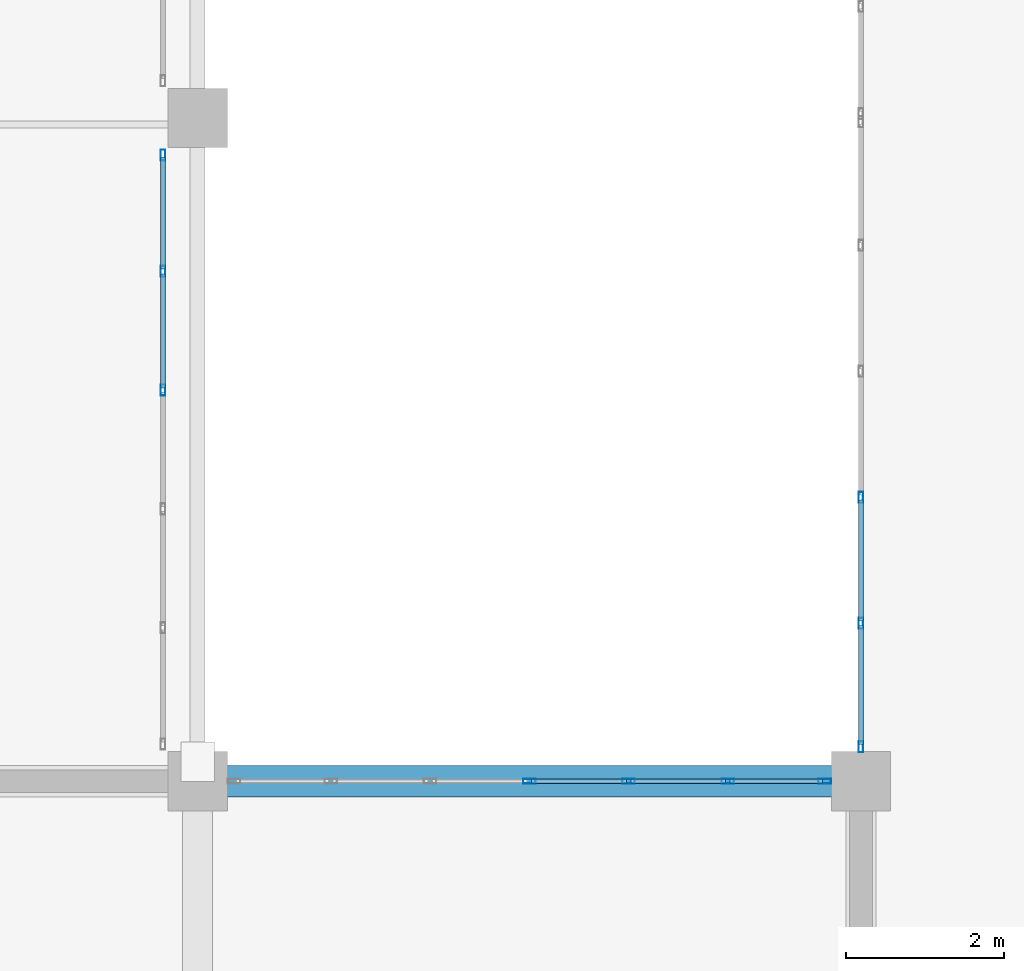
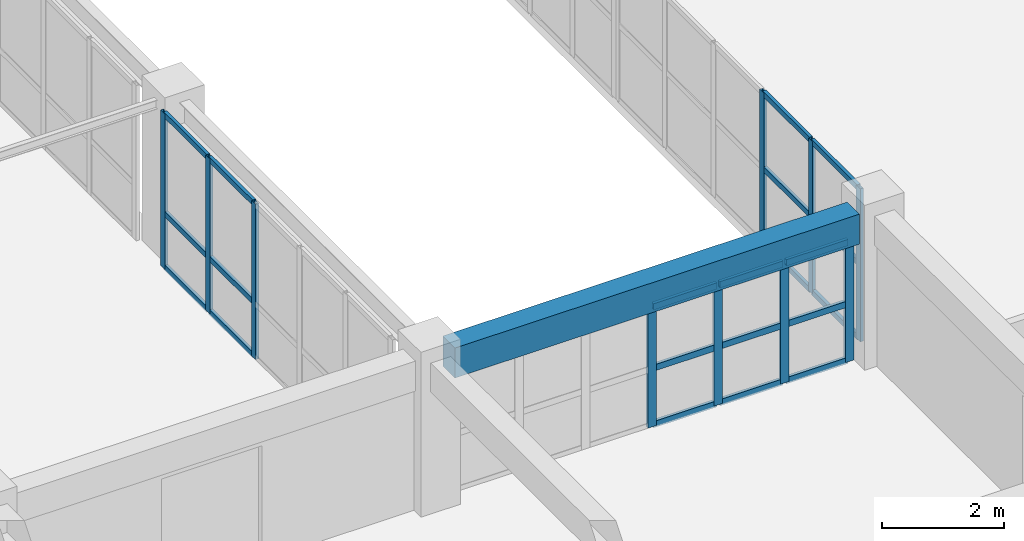
# One storey, part 94 of 200: 31 members, 1 beam, 3 elements without a shape of their own.
"""IFC4 building model written with IfcOpenShell, lengths in metres."""

from ifc_helpers import new_model, si_unit, direction, frame, origin, origin_2d, place, context, subcontext, project, spatial, rectangle, hollow_rectangle, extrude, material, layer, layer_set, material_profile, profile_set, type_object, element, aggregate, save


model = new_model("IFC4")

# Units and contexts
model_context = context("Model", 3, precision=1e-05, world=origin(), true_north=direction((0.0, 1.0)))
body_context = subcontext(model_context, "Body", "Model", "MODEL_VIEW")
ifc_project = project(units=[si_unit("LENGTHUNIT", "METRE"), si_unit("AREAUNIT", "SQUARE_METRE"), si_unit("VOLUMEUNIT", "CUBIC_METRE"), si_unit("PLANEANGLEUNIT", "RADIAN"), si_unit("MASSUNIT", "GRAM", prefix="KILO")], contexts=[model_context])

# Site, building, storey
site_placement = place(None, origin())
site = spatial("IfcSite", under=ifc_project, at=site_placement, CompositionType="ELEMENT")
building_placement = place(site_placement, origin())
building = spatial("IfcBuilding", under=site, at=building_placement, Name="Trelvath General Hospital", CompositionType="ELEMENT")
storey_placement = place(building_placement, frame((0.0, 0.0, 4.800048828125)))
storey = spatial("IfcBuildingStorey", under=building, at=storey_placement, Name="L01", CompositionType="ELEMENT", Elevation=4.800048828125)

# Beam
ifc_material_1 = material(Name="Concrete C35/45", Category="concrete")
ifc_material_profile_1 = material_profile(ifc_material_1, rectangle(XDim=0.39990234375, YDim=0.60009765625, at=origin_2d()), Name="RCB400x600")
ifc_profile_set_1 = profile_set([ifc_material_profile_1], Name="Concrete C35/45")
beam_type = type_object("IfcBeamType", Name="Beam RC400x600", PredefinedType="BEAM", material=ifc_profile_set_1)
beam_placement = place(storey_placement, frame((84.3701171875, 67.199951171875, 2.719970703125), z_axis=(1.0, 0.0, 0.0), x_axis=(0.0, 1.0, 0.0)))
element("IfcBeam", 1, at=beam_placement, inside=storey, type_object=beam_type, Name="Grid Beam BX-110I", PredefinedType="BEAM", context=body_context, shape_type="SweptSolid", body=[
    extrude(rectangle(XDim=0.39990234375, YDim=0.60009765625, at=origin_2d()), origin(), (0.0, 0.0, 1.0), 7.659912109375),
])

# Curtain wall, members
ifc_material_2 = material(Name="Anodised aluminium and low-E glass", Category="aluminium")
ifc_layer_1 = layer(ifc_material_2, 0.14990234375)
ifc_layer_set_1 = layer_set([ifc_layer_1], Name="Anodised aluminium and low-E glass")
curtain_wall_type_1 = type_object("IfcCurtainWallType", Name="CW CrystalCube 798 306 15", PredefinedType="USERDEFINED", material=ifc_layer_set_1)
curtain_wall_1_placement = place(storey_placement, origin())
curtain_wall_1 = element("IfcCurtainWall", 2, at=curtain_wall_1_placement, inside=storey, type_object=curtain_wall_type_1, Name="Crystal Cube Curtain Wall CUBE-E-T0 W5 L01", ObjectType="Unitised Glazed Curtain Wall", PredefinedType="USERDEFINED")
ifc_material_3 = material(Name="Anodised aluminium", Category="aluminium")
ifc_material_profile_2 = material_profile(ifc_material_3, hollow_rectangle(XDim=0.06005859375, YDim=0.139892578125, WallThickness=0.00390625, at=origin_2d()), Name="RHS60x140x4")
ifc_profile_set_2 = profile_set([ifc_material_profile_2], Name="Anodised aluminium")
member_type_1 = type_object("IfcMemberType", Name="CurtainMullion 60x140", PredefinedType="MULLION", material=ifc_profile_set_2)
member_1_placement = place(storey_placement, frame((92.39990234375, 67.635009765625, 0.0), z_axis=(0.0, 0.0, 1.0), x_axis=(-1.0, 0.0, 0.0)))
member_1 = element("IfcMember", 3, at=member_1_placement, type_object=member_type_1, Name="CW-167 mullion 1", PredefinedType="MULLION", context=body_context, shape_type="SweptSolid", body=[
    extrude(hollow_rectangle(XDim=0.06005859375, YDim=0.139892578125, WallThickness=0.00390625, at=origin_2d()), origin(), (0.0, 0.0, 1.0), 3.06005859375),
])
member_2_placement = place(storey_placement, frame((92.39990234375, 69.199951171875, 0.0), z_axis=(0.0, 0.0, 1.0), x_axis=(-1.0, 0.0, 0.0)))
member_2 = element("IfcMember", 4, at=member_2_placement, type_object=member_type_1, Name="CW-167 mullion 2", PredefinedType="MULLION", context=body_context, shape_type="SweptSolid", body=[
    extrude(hollow_rectangle(XDim=0.06005859375, YDim=0.139892578125, WallThickness=0.00390625, at=origin_2d()), origin(), (0.0, 0.0, 1.0), 3.06005859375),
])
member_3_placement = place(storey_placement, frame((92.39990234375, 70.794921875, 0.0), z_axis=(0.0, 0.0, 1.0), x_axis=(-1.0, 0.0, 0.0)))
member_3 = element("IfcMember", 5, at=member_3_placement, type_object=member_type_1, Name="CW-167 mullion 3", PredefinedType="MULLION", context=body_context, shape_type="SweptSolid", body=[
    extrude(hollow_rectangle(XDim=0.06005859375, YDim=0.139892578125, WallThickness=0.00390625, at=origin_2d()), origin(), (0.0, 0.0, 1.0), 3.06005859375),
])

ifc_material_4 = material(Name="Anodised aluminium and low-E glass", Category="aluminium")
ifc_layer_2 = layer(ifc_material_4, 0.139892578125)
ifc_layer_set_2 = layer_set([ifc_layer_2], Name="Anodised aluminium and low-E glass")
curtain_wall_type_2 = type_object("IfcCurtainWallType", Name="CW Bridge 752 311", PredefinedType="USERDEFINED", material=ifc_layer_set_2)
curtain_wall_2_placement = place(storey_placement, origin())
curtain_wall_2 = element("IfcCurtainWall", 6, at=curtain_wall_2_placement, inside=storey, type_object=curtain_wall_type_2, Name="Glazed Bridge Curtain Wall BRG-N-C E L01", ObjectType="Unitised Glazed Curtain Wall", PredefinedType="USERDEFINED")
member_4_placement = place(storey_placement, frame((83.56005859375, 75.1298828125, 0.0), z_axis=(0.0, 0.0, 1.0), x_axis=(1.0, 0.0, 0.0)))
member_4 = element("IfcMember", 7, at=member_4_placement, type_object=member_type_1, Name="CW-173 mullion 1", PredefinedType="MULLION", context=body_context, shape_type="SweptSolid", body=[
    extrude(hollow_rectangle(XDim=0.06005859375, YDim=0.139892578125, WallThickness=0.00390625, at=origin_2d()), origin(), (0.0, 0.0, 1.0), 3.10986328125),
])
member_5_placement = place(storey_placement, frame((83.56005859375, 73.656005859375, 0.0), z_axis=(0.0, 0.0, 1.0), x_axis=(1.0, 0.0, 0.0)))
member_5 = element("IfcMember", 8, at=member_5_placement, type_object=member_type_1, Name="CW-173 mullion 2", PredefinedType="MULLION", context=body_context, shape_type="SweptSolid", body=[
    extrude(hollow_rectangle(XDim=0.06005859375, YDim=0.139892578125, WallThickness=0.00390625, at=origin_2d()), origin(), (0.0, 0.0, 1.0), 3.10986328125),
])
member_6_placement = place(storey_placement, frame((83.56005859375, 72.152099609375, 0.0), z_axis=(0.0, 0.0, 1.0), x_axis=(1.0, 0.0, 0.0)))
member_6 = element("IfcMember", 9, at=member_6_placement, type_object=member_type_1, Name="CW-173 mullion 3", PredefinedType="MULLION", context=body_context, shape_type="SweptSolid", body=[
    extrude(hollow_rectangle(XDim=0.06005859375, YDim=0.139892578125, WallThickness=0.00390625, at=origin_2d()), origin(), (0.0, 0.0, 1.0), 3.10986328125),
])

ifc_material_5 = material(Name="Anodised aluminium and low-E glass", Category="aluminium")
ifc_layer_3 = layer(ifc_material_5, 0.159912109375)
ifc_layer_set_3 = layer_set([ifc_layer_3], Name="Anodised aluminium and low-E glass")
curtain_wall_type_3 = type_object("IfcCurtainWallType", Name="CW Facade 754 242 16", PredefinedType="USERDEFINED", material=ifc_layer_set_3)
curtain_wall_3_placement = place(storey_placement, origin())
curtain_wall_3 = element("IfcCurtainWall", 10, at=curtain_wall_3_placement, inside=storey, type_object=curtain_wall_type_3, Name="Facade Curtain Wall CW-017", ObjectType="Unitised Glazed Curtain Wall", PredefinedType="USERDEFINED")
ifc_material_6 = material(Name="Anodised aluminium", Category="aluminium")
ifc_material_profile_3 = material_profile(ifc_material_6, hollow_rectangle(XDim=0.06005859375, YDim=0.159912109375, WallThickness=0.00390625, at=origin_2d()), Name="RHS60x160x4")
ifc_profile_set_3 = profile_set([ifc_material_profile_3], Name="Anodised aluminium")
member_type_2 = type_object("IfcMemberType", Name="CurtainMullion 60x160", PredefinedType="MULLION", material=ifc_profile_set_3)
member_7_placement = place(storey_placement, frame((88.199951171875, 67.199951171875, 0.0), z_axis=(0.0, 0.0, 1.0), x_axis=(0.0, 1.0, 0.0)))
member_7 = element("IfcMember", 11, at=member_7_placement, type_object=member_type_2, Name="CW-017 mullion 4", PredefinedType="MULLION", context=body_context, shape_type="SweptSolid", body=[
    extrude(hollow_rectangle(XDim=0.06005859375, YDim=0.159912109375, WallThickness=0.00390625, at=origin_2d()), origin(), (0.0, 0.0, 1.0), 2.419921875),
])
member_8_placement = place(storey_placement, frame((89.456787109375, 67.199951171875, 0.0), z_axis=(0.0, 0.0, 1.0), x_axis=(0.0, 1.0, 0.0)))
member_8 = element("IfcMember", 12, at=member_8_placement, type_object=member_type_2, Name="CW-017 mullion 5", PredefinedType="MULLION", context=body_context, shape_type="SweptSolid", body=[
    extrude(hollow_rectangle(XDim=0.06005859375, YDim=0.159912109375, WallThickness=0.00390625, at=origin_2d()), origin(), (0.0, 0.0, 1.0), 2.419921875),
])
member_9_placement = place(storey_placement, frame((90.71337890625, 67.199951171875, 0.0), z_axis=(0.0, 0.0, 1.0), x_axis=(0.0, 1.0, 0.0)))
member_9 = element("IfcMember", 13, at=member_9_placement, type_object=member_type_2, Name="CW-017 mullion 6", PredefinedType="MULLION", context=body_context, shape_type="SweptSolid", body=[
    extrude(hollow_rectangle(XDim=0.06005859375, YDim=0.159912109375, WallThickness=0.00390625, at=origin_2d()), origin(), (0.0, 0.0, 1.0), 2.419921875),
])
member_10_placement = place(storey_placement, frame((91.93994140625, 67.199951171875, 0.0), z_axis=(0.0, 0.0, 1.0), x_axis=(0.0, 1.0, 0.0)))
member_10 = element("IfcMember", 14, at=member_10_placement, type_object=member_type_2, Name="CW-017 mullion 7", PredefinedType="MULLION", context=body_context, shape_type="SweptSolid", body=[
    extrude(hollow_rectangle(XDim=0.06005859375, YDim=0.159912109375, WallThickness=0.00390625, at=origin_2d()), origin(), (0.0, 0.0, 1.0), 2.419921875),
])

# Member
ifc_material_7 = material(Name="Anodised aluminium", Category="aluminium")
ifc_material_profile_4 = material_profile(ifc_material_7, hollow_rectangle(XDim=0.06005859375, YDim=0.110107421875, WallThickness=0.00390625, at=origin_2d()), Name="RHS60x110x4")
ifc_profile_set_4 = profile_set([ifc_material_profile_4], Name="Anodised aluminium")
member_type_3 = type_object("IfcMemberType", Name="CurtainTransom 60x110", PredefinedType="USERDEFINED", material=ifc_profile_set_4)
member_11_placement = place(storey_placement, frame((92.39990234375, 67.6650390625, 0.030029296875), z_axis=(0.0, 1.0, 0.0), x_axis=(-1.0, 0.0, 0.0)))
member_11 = element("IfcMember", 15, at=member_11_placement, type_object=member_type_3, Name="CW-167 transom 1.1", ObjectType="TRANSOM", PredefinedType="USERDEFINED", context=body_context, shape_type="SweptSolid", body=[
    extrude(hollow_rectangle(XDim=0.06005859375, YDim=0.110107421875, WallThickness=0.00390625, at=origin_2d()), origin(), (0.0, 0.0, 1.0), 1.5048828125),
])

member_12_placement = place(storey_placement, frame((92.39990234375, 67.6650390625, 1.530029296875), z_axis=(0.0, 1.0, 0.0), x_axis=(-1.0, 0.0, 0.0)))
member_12 = element("IfcMember", 16, at=member_12_placement, type_object=member_type_3, Name="CW-167 transom 1.2", ObjectType="TRANSOM", PredefinedType="USERDEFINED", context=body_context, shape_type="SweptSolid", body=[
    extrude(hollow_rectangle(XDim=0.06005859375, YDim=0.110107421875, WallThickness=0.00390625, at=origin_2d()), origin(), (0.0, 0.0, 1.0), 1.5048828125),
])

member_13_placement = place(storey_placement, frame((92.39990234375, 67.6650390625, 3.030029296875), z_axis=(0.0, 1.0, 0.0), x_axis=(-1.0, 0.0, 0.0)))
member_13 = element("IfcMember", 17, at=member_13_placement, type_object=member_type_3, Name="CW-167 transom 1.3", ObjectType="TRANSOM", PredefinedType="USERDEFINED", context=body_context, shape_type="SweptSolid", body=[
    extrude(hollow_rectangle(XDim=0.06005859375, YDim=0.110107421875, WallThickness=0.00390625, at=origin_2d()), origin(), (0.0, 0.0, 1.0), 1.5048828125),
])

member_14_placement = place(storey_placement, frame((92.39990234375, 69.22998046875, 0.030029296875), z_axis=(0.0, 1.0, 0.0), x_axis=(-1.0, 0.0, 0.0)))
member_14 = element("IfcMember", 18, at=member_14_placement, type_object=member_type_3, Name="CW-167 transom 2.1", ObjectType="TRANSOM", PredefinedType="USERDEFINED", context=body_context, shape_type="SweptSolid", body=[
    extrude(hollow_rectangle(XDim=0.06005859375, YDim=0.110107421875, WallThickness=0.00390625, at=origin_2d()), origin(), (0.0, 0.0, 1.0), 1.534912109375),
])

member_15_placement = place(storey_placement, frame((92.39990234375, 69.22998046875, 1.530029296875), z_axis=(0.0, 1.0, 0.0), x_axis=(-1.0, 0.0, 0.0)))
member_15 = element("IfcMember", 19, at=member_15_placement, type_object=member_type_3, Name="CW-167 transom 2.2", ObjectType="TRANSOM", PredefinedType="USERDEFINED", context=body_context, shape_type="SweptSolid", body=[
    extrude(hollow_rectangle(XDim=0.06005859375, YDim=0.110107421875, WallThickness=0.00390625, at=origin_2d()), origin(), (0.0, 0.0, 1.0), 1.534912109375),
])

member_16_placement = place(storey_placement, frame((92.39990234375, 69.22998046875, 3.030029296875), z_axis=(0.0, 1.0, 0.0), x_axis=(-1.0, 0.0, 0.0)))
member_16 = element("IfcMember", 20, at=member_16_placement, type_object=member_type_3, Name="CW-167 transom 2.3", ObjectType="TRANSOM", PredefinedType="USERDEFINED", context=body_context, shape_type="SweptSolid", body=[
    extrude(hollow_rectangle(XDim=0.06005859375, YDim=0.110107421875, WallThickness=0.00390625, at=origin_2d()), origin(), (0.0, 0.0, 1.0), 1.534912109375),
])

aggregate(curtain_wall_1, [member_1, member_2, member_3, member_11, member_12, member_13, member_14, member_15, member_16])

member_17_placement = place(storey_placement, frame((83.56005859375, 75.10009765625, 0.030029296875), z_axis=(0.0, -1.0, 0.0), x_axis=(1.0, 0.0, 0.0)))
member_17 = element("IfcMember", 21, at=member_17_placement, type_object=member_type_3, Name="CW-173 transom 1.1", ObjectType="TRANSOM", PredefinedType="USERDEFINED", context=body_context, shape_type="SweptSolid", body=[
    extrude(hollow_rectangle(XDim=0.06005859375, YDim=0.110107421875, WallThickness=0.00390625, at=origin_2d()), origin(), (0.0, 0.0, 1.0), 1.4140625),
])

member_18_placement = place(storey_placement, frame((83.56005859375, 75.10009765625, 1.099853515625), z_axis=(0.0, -1.0, 0.0), x_axis=(1.0, 0.0, 0.0)))
member_18 = element("IfcMember", 22, at=member_18_placement, type_object=member_type_3, Name="CW-173 transom 1.2", ObjectType="TRANSOM", PredefinedType="USERDEFINED", context=body_context, shape_type="SweptSolid", body=[
    extrude(hollow_rectangle(XDim=0.06005859375, YDim=0.110107421875, WallThickness=0.00390625, at=origin_2d()), origin(), (0.0, 0.0, 1.0), 1.4140625),
])

member_19_placement = place(storey_placement, frame((83.56005859375, 75.10009765625, 3.079833984375), z_axis=(0.0, -1.0, 0.0), x_axis=(1.0, 0.0, 0.0)))
member_19 = element("IfcMember", 23, at=member_19_placement, type_object=member_type_3, Name="CW-173 transom 1.3", ObjectType="TRANSOM", PredefinedType="USERDEFINED", context=body_context, shape_type="SweptSolid", body=[
    extrude(hollow_rectangle(XDim=0.06005859375, YDim=0.110107421875, WallThickness=0.00390625, at=origin_2d()), origin(), (0.0, 0.0, 1.0), 1.4140625),
])

member_20_placement = place(storey_placement, frame((83.56005859375, 73.6259765625, 0.030029296875), z_axis=(0.0, -1.0, 0.0), x_axis=(1.0, 0.0, 0.0)))
member_20 = element("IfcMember", 24, at=member_20_placement, type_object=member_type_3, Name="CW-173 transom 2.1", ObjectType="TRANSOM", PredefinedType="USERDEFINED", context=body_context, shape_type="SweptSolid", body=[
    extrude(hollow_rectangle(XDim=0.06005859375, YDim=0.110107421875, WallThickness=0.00390625, at=origin_2d()), origin(), (0.0, 0.0, 1.0), 1.444091796875),
])

member_21_placement = place(storey_placement, frame((83.56005859375, 73.6259765625, 1.099853515625), z_axis=(0.0, -1.0, 0.0), x_axis=(1.0, 0.0, 0.0)))
member_21 = element("IfcMember", 25, at=member_21_placement, type_object=member_type_3, Name="CW-173 transom 2.2", ObjectType="TRANSOM", PredefinedType="USERDEFINED", context=body_context, shape_type="SweptSolid", body=[
    extrude(hollow_rectangle(XDim=0.06005859375, YDim=0.110107421875, WallThickness=0.00390625, at=origin_2d()), origin(), (0.0, 0.0, 1.0), 1.444091796875),
])

member_22_placement = place(storey_placement, frame((83.56005859375, 73.6259765625, 3.079833984375), z_axis=(0.0, -1.0, 0.0), x_axis=(1.0, 0.0, 0.0)))
member_22 = element("IfcMember", 26, at=member_22_placement, type_object=member_type_3, Name="CW-173 transom 2.3", ObjectType="TRANSOM", PredefinedType="USERDEFINED", context=body_context, shape_type="SweptSolid", body=[
    extrude(hollow_rectangle(XDim=0.06005859375, YDim=0.110107421875, WallThickness=0.00390625, at=origin_2d()), origin(), (0.0, 0.0, 1.0), 1.444091796875),
])

aggregate(curtain_wall_2, [member_4, member_5, member_6, member_17, member_18, member_19, member_20, member_21, member_22])

ifc_material_8 = material(Name="Anodised aluminium", Category="aluminium")
ifc_material_profile_5 = material_profile(ifc_material_8, hollow_rectangle(XDim=0.06005859375, YDim=0.125, WallThickness=0.00390625, at=origin_2d()), Name="RHS60x125x4")
ifc_profile_set_5 = profile_set([ifc_material_profile_5], Name="Anodised aluminium")
member_type_4 = type_object("IfcMemberType", Name="CurtainTransom 60x125", PredefinedType="USERDEFINED", material=ifc_profile_set_5)
member_23_placement = place(storey_placement, frame((88.22998046875, 67.199951171875, 0.030029296875), z_axis=(1.0, 0.0, 0.0), x_axis=(0.0, 1.0, 0.0)))
member_23 = element("IfcMember", 27, at=member_23_placement, type_object=member_type_4, Name="CW-017 transom 4.1", ObjectType="TRANSOM", PredefinedType="USERDEFINED", context=body_context, shape_type="SweptSolid", body=[
    extrude(hollow_rectangle(XDim=0.06005859375, YDim=0.125, WallThickness=0.00390625, at=origin_2d()), origin(), (0.0, 0.0, 1.0), 1.19677734375),
])

member_24_placement = place(storey_placement, frame((88.22998046875, 67.199951171875, 1.161865234375), z_axis=(1.0, 0.0, 0.0), x_axis=(0.0, 1.0, 0.0)))
member_24 = element("IfcMember", 28, at=member_24_placement, type_object=member_type_4, Name="CW-017 transom 4.2", ObjectType="TRANSOM", PredefinedType="USERDEFINED", context=body_context, shape_type="SweptSolid", body=[
    extrude(hollow_rectangle(XDim=0.06005859375, YDim=0.125, WallThickness=0.00390625, at=origin_2d()), origin(), (0.0, 0.0, 1.0), 1.19677734375),
])

member_25_placement = place(storey_placement, frame((88.22998046875, 67.199951171875, 2.389892578125), z_axis=(1.0, 0.0, 0.0), x_axis=(0.0, 1.0, 0.0)))
member_25 = element("IfcMember", 29, at=member_25_placement, type_object=member_type_4, Name="CW-017 transom 4.3", ObjectType="TRANSOM", PredefinedType="USERDEFINED", context=body_context, shape_type="SweptSolid", body=[
    extrude(hollow_rectangle(XDim=0.06005859375, YDim=0.125, WallThickness=0.00390625, at=origin_2d()), origin(), (0.0, 0.0, 1.0), 1.19677734375),
])

member_26_placement = place(storey_placement, frame((89.486572265625, 67.199951171875, 0.030029296875), z_axis=(1.0, 0.0, 0.0), x_axis=(0.0, 1.0, 0.0)))
member_26 = element("IfcMember", 30, at=member_26_placement, type_object=member_type_4, Name="CW-017 transom 5.1", ObjectType="TRANSOM", PredefinedType="USERDEFINED", context=body_context, shape_type="SweptSolid", body=[
    extrude(hollow_rectangle(XDim=0.06005859375, YDim=0.125, WallThickness=0.00390625, at=origin_2d()), origin(), (0.0, 0.0, 1.0), 1.19677734375),
])

member_27_placement = place(storey_placement, frame((89.486572265625, 67.199951171875, 1.161865234375), z_axis=(1.0, 0.0, 0.0), x_axis=(0.0, 1.0, 0.0)))
member_27 = element("IfcMember", 31, at=member_27_placement, type_object=member_type_4, Name="CW-017 transom 5.2", ObjectType="TRANSOM", PredefinedType="USERDEFINED", context=body_context, shape_type="SweptSolid", body=[
    extrude(hollow_rectangle(XDim=0.06005859375, YDim=0.125, WallThickness=0.00390625, at=origin_2d()), origin(), (0.0, 0.0, 1.0), 1.19677734375),
])

member_28_placement = place(storey_placement, frame((89.486572265625, 67.199951171875, 2.389892578125), z_axis=(1.0, 0.0, 0.0), x_axis=(0.0, 1.0, 0.0)))
member_28 = element("IfcMember", 32, at=member_28_placement, type_object=member_type_4, Name="CW-017 transom 5.3", ObjectType="TRANSOM", PredefinedType="USERDEFINED", context=body_context, shape_type="SweptSolid", body=[
    extrude(hollow_rectangle(XDim=0.06005859375, YDim=0.125, WallThickness=0.00390625, at=origin_2d()), origin(), (0.0, 0.0, 1.0), 1.19677734375),
])

member_29_placement = place(storey_placement, frame((90.743408203125, 67.199951171875, 0.030029296875), z_axis=(1.0, 0.0, 0.0), x_axis=(0.0, 1.0, 0.0)))
member_29 = element("IfcMember", 33, at=member_29_placement, type_object=member_type_4, Name="CW-017 transom 6.1", ObjectType="TRANSOM", PredefinedType="USERDEFINED", context=body_context, shape_type="SweptSolid", body=[
    extrude(hollow_rectangle(XDim=0.06005859375, YDim=0.125, WallThickness=0.00390625, at=origin_2d()), origin(), (0.0, 0.0, 1.0), 1.16650390625),
])

member_30_placement = place(storey_placement, frame((90.743408203125, 67.199951171875, 1.161865234375), z_axis=(1.0, 0.0, 0.0), x_axis=(0.0, 1.0, 0.0)))
member_30 = element("IfcMember", 34, at=member_30_placement, type_object=member_type_4, Name="CW-017 transom 6.2", ObjectType="TRANSOM", PredefinedType="USERDEFINED", context=body_context, shape_type="SweptSolid", body=[
    extrude(hollow_rectangle(XDim=0.06005859375, YDim=0.125, WallThickness=0.00390625, at=origin_2d()), origin(), (0.0, 0.0, 1.0), 1.16650390625),
])

member_31_placement = place(storey_placement, frame((90.743408203125, 67.199951171875, 2.389892578125), z_axis=(1.0, 0.0, 0.0), x_axis=(0.0, 1.0, 0.0)))
member_31 = element("IfcMember", 35, at=member_31_placement, type_object=member_type_4, Name="CW-017 transom 6.3", ObjectType="TRANSOM", PredefinedType="USERDEFINED", context=body_context, shape_type="SweptSolid", body=[
    extrude(hollow_rectangle(XDim=0.06005859375, YDim=0.125, WallThickness=0.00390625, at=origin_2d()), origin(), (0.0, 0.0, 1.0), 1.16650390625),
])

aggregate(curtain_wall_3, [member_7, member_8, member_9, member_10, member_23, member_24, member_25, member_26, member_27, member_28, member_29, member_30, member_31])

save(model, "model.ifc")
